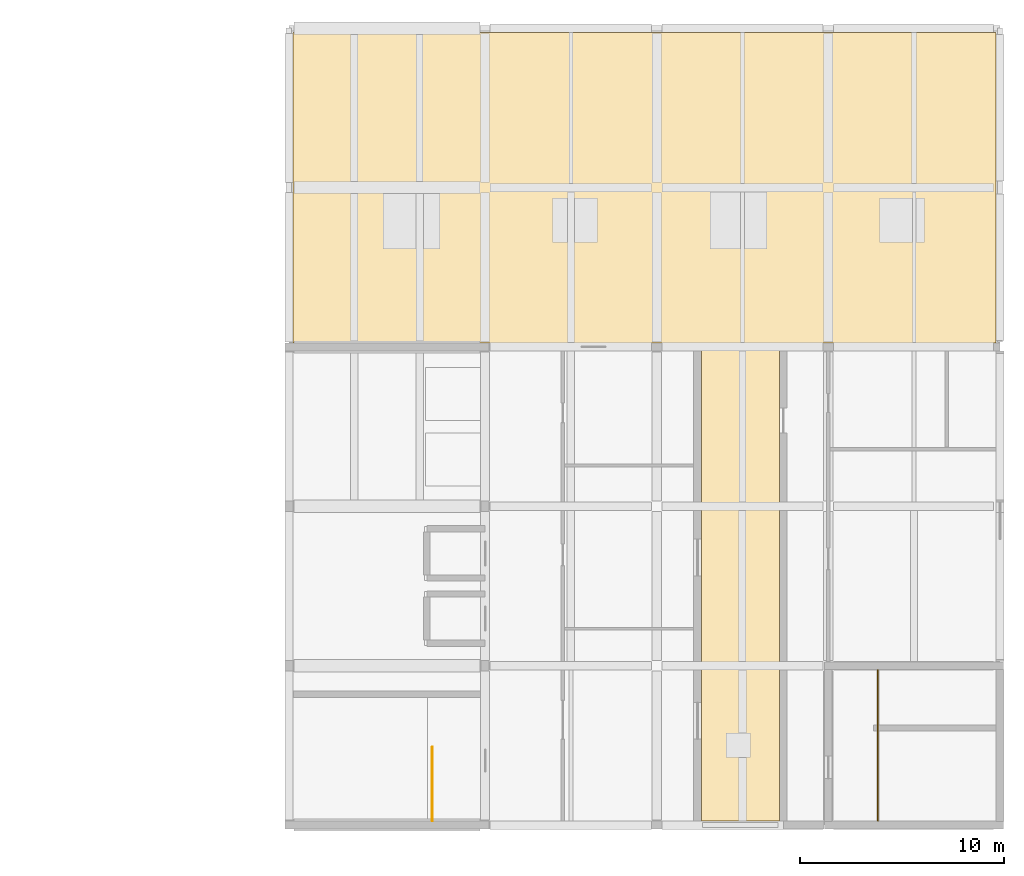
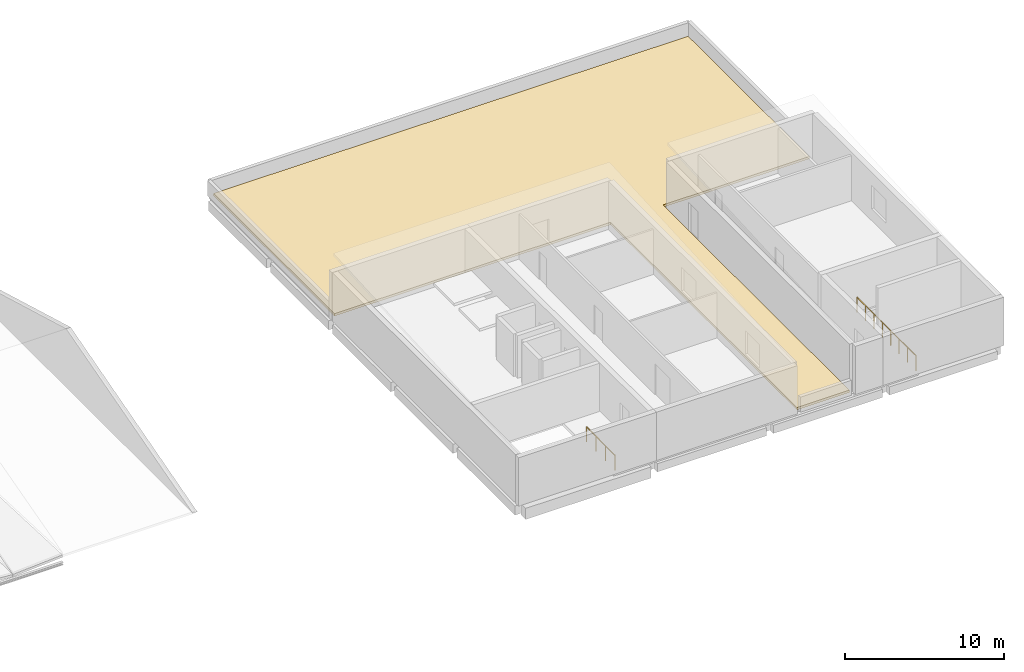
# One storey, part 6 of 6: 2 railings, 1 covering.
"""IFC4 building model written with IfcOpenShell, lengths in metres."""

from ifc_helpers import new_model, si_unit, direction, frame, origin, origin_2d, place, context, subcontext, project, spatial, polyline, circle, outline, extrude, material, layer, layer_set, type_object, element, save


model = new_model("IFC4")

# Units and contexts
model_context = context("Model", 3, precision=1e-05, world=origin(), true_north=direction((0.0, 1.0)))
body_context = subcontext(model_context, "Body", "Model", "MODEL_VIEW")
ifc_project = project(units=[si_unit("LENGTHUNIT", "METRE"), si_unit("AREAUNIT", "SQUARE_METRE"), si_unit("VOLUMEUNIT", "CUBIC_METRE"), si_unit("PLANEANGLEUNIT", "RADIAN"), si_unit("MASSUNIT", "GRAM", prefix="KILO")], contexts=[model_context])

# Site, building, storey
site_placement = place(None, origin())
site = spatial("IfcSite", under=ifc_project, at=site_placement, CompositionType="ELEMENT")
building_placement = place(site_placement, origin())
building = spatial("IfcBuilding", under=site, at=building_placement, Name="Pellamere Symphony Hall", CompositionType="ELEMENT")
storey_placement = place(building_placement, frame((0.0, 0.0, 28.5)))
storey = spatial("IfcBuildingStorey", under=building, at=storey_placement, Name="RF", CompositionType="ELEMENT", Elevation=28.5)

# Covering
ifc_material_1 = material(Name="Inverted SBS Membrane Vegetated Prairie Sedum Roof", Category="concrete")
ifc_layer = layer(ifc_material_1, 0.179931640625, Name="Inverted SBS Membrane Vegetated Prairie Sedum Roof")
ifc_layer_set = layer_set([ifc_layer], Name="Inverted SBS Membrane Vegetated Prairie Sedum Roof")
covering_type = type_object("IfcCoveringType", Name="Envelope Covering RC-02 180mm", PredefinedType="ROOFING", material=ifc_layer_set)
covering_placement = place(storey_placement, origin())
element("IfcCovering", 1, at=covering_placement, inside=storey, type_object=covering_type, Name="Artists Wing Prairie Sedum Roof Assembly", PredefinedType="ROOFING", context=body_context, shape_type="SweptSolid", body=[
    extrude(outline(polyline([(138.199951171875, 77.199951171875), (172.60009765625, 77.199951171875), (172.60009765625, 62.0), (162.0, 62.0), (162.0, 38.60009765625), (158.199951171875, 38.60009765625), (158.199951171875, 62.0), (138.199951171875, 62.0), (138.199951171875, 77.199951171875)])), origin(), (0.0, 0.0, 1.0), 0.179931640625),
])

# Railings
ifc_material_2 = material(Name="Painted Steel CSA G40.21 350W", Category="steel")
railing_type = type_object("IfcRailingType", Name="Guardrail GR-02 H1150 Painted", PredefinedType="GUARDRAIL", material=ifc_material_2)
railing_1_placement = place(storey_placement, frame((145.02490234375, 38.610107421875, 0.0)))
element("IfcRailing", 2, at=railing_1_placement, inside=storey, type_object=railing_type, Name="Stair ST02-L05 Top Landing Well Guard (RF)", PredefinedType="GUARDRAIL", context=body_context, shape_type="SweptSolid", body=[
    extrude(circle(Radius=0.02392578125, at=origin_2d()), frame((0.0, 0.0, 1.1259765625), z_axis=(0.0, 1.0, 0.0), x_axis=(-1.0, 0.0, 0.0)), (0.0, 0.0, 1.0), 3.599853515625),
    extrude(circle(Radius=0.02099609375, at=origin_2d()), origin(), (0.0, 0.0, 1.0), 1.101806640625),
    extrude(circle(Radius=0.02099609375, at=origin_2d()), frame((0.0, 1.199951171875, 0.0)), (0.0, 0.0, 1.0), 1.101806640625),
    extrude(circle(Radius=0.02099609375, at=origin_2d()), frame((0.0, 2.39990234375, 0.0)), (0.0, 0.0, 1.0), 1.101806640625),
    extrude(circle(Radius=0.02099609375, at=origin_2d()), frame((0.0, 3.599853515625, 0.0)), (0.0, 0.0, 1.0), 1.101806640625),
])
railing_2_placement = place(storey_placement, frame((166.824951171875, 38.610107421875, 0.0)))
element("IfcRailing", 3, at=railing_2_placement, inside=storey, type_object=railing_type, Name="Stair ST06-L05 Top Landing Well Guard (RF)", PredefinedType="GUARDRAIL", context=body_context, shape_type="SweptSolid", body=[
    extrude(circle(Radius=0.02392578125, at=origin_2d()), frame((0.0, 0.0, 1.1259765625), z_axis=(0.0, 1.0, 0.0), x_axis=(-1.0, 0.0, 0.0)), (0.0, 0.0, 1.0), 7.3798828125),
    extrude(circle(Radius=0.02099609375, at=origin_2d()), origin(), (0.0, 0.0, 1.0), 1.101806640625),
    extrude(circle(Radius=0.02099609375, at=origin_2d()), frame((0.0, 1.05419921875, 0.0)), (0.0, 0.0, 1.0), 1.101806640625),
    extrude(circle(Radius=0.02099609375, at=origin_2d()), frame((0.0, 2.108642578125, 0.0)), (0.0, 0.0, 1.0), 1.101806640625),
    extrude(circle(Radius=0.02099609375, at=origin_2d()), frame((0.0, 3.162841796875, 0.0)), (0.0, 0.0, 1.0), 1.101806640625),
    extrude(circle(Radius=0.02099609375, at=origin_2d()), frame((0.0, 4.217041015625, 0.0)), (0.0, 0.0, 1.0), 1.101806640625),
    extrude(circle(Radius=0.02099609375, at=origin_2d()), frame((0.0, 5.271240234375, 0.0)), (0.0, 0.0, 1.0), 1.101806640625),
    extrude(circle(Radius=0.02099609375, at=origin_2d()), frame((0.0, 6.32568359375, 0.0)), (0.0, 0.0, 1.0), 1.101806640625),
    extrude(circle(Radius=0.02099609375, at=origin_2d()), frame((0.0, 7.3798828125, 0.0)), (0.0, 0.0, 1.0), 1.101806640625),
])

save(model, "model.ifc")
